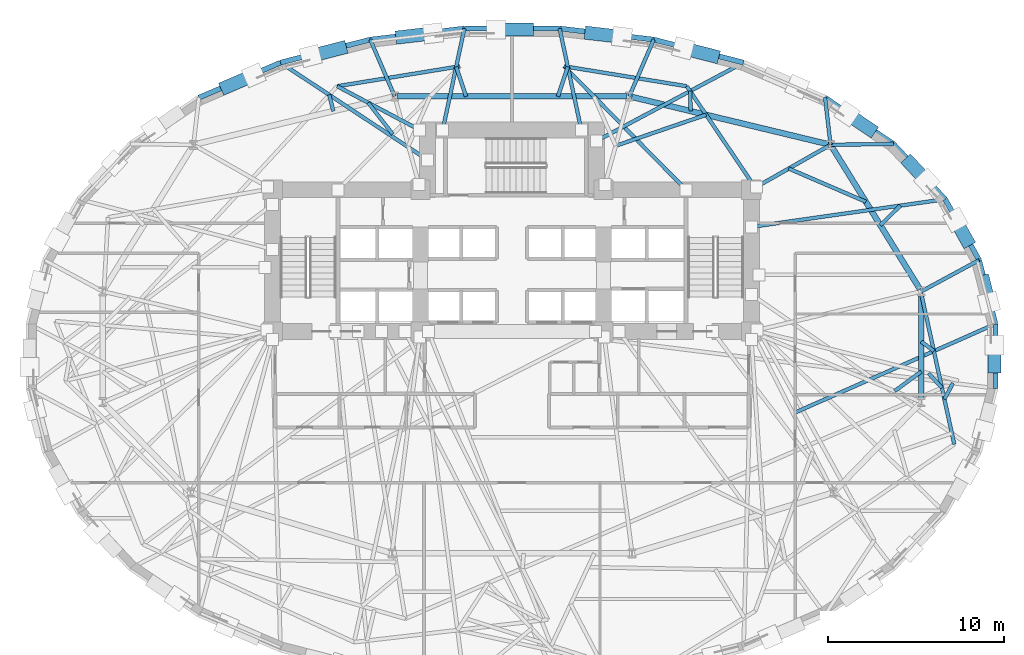
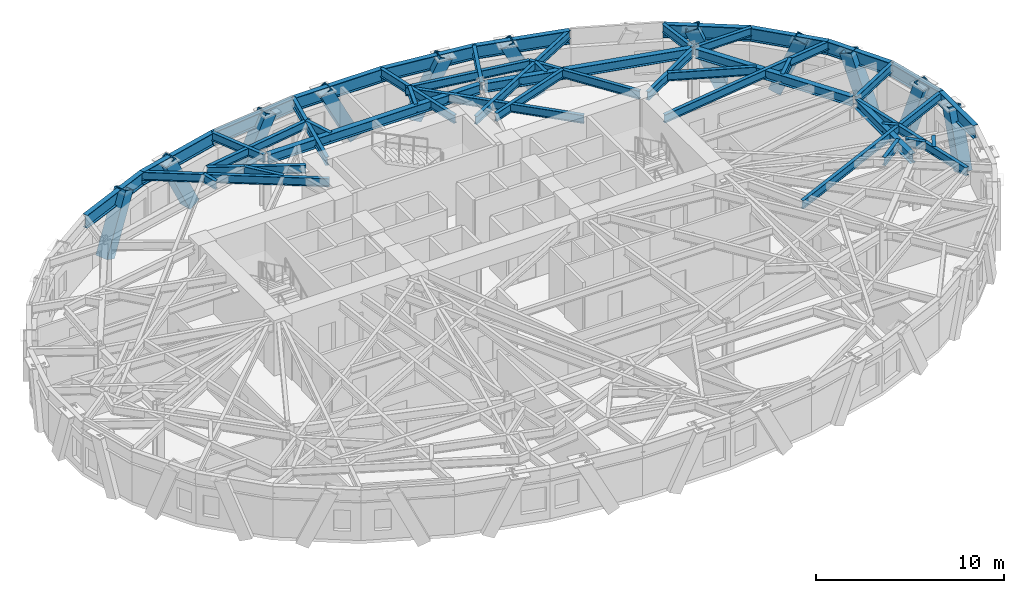
# One storey, part 4 of 14: 45 beams, 11 members.
"""IFC4 building model written with IfcOpenShell, lengths in metres."""

from ifc_helpers import new_model, si_unit, direction, frame, origin, origin_2d, place, context, subcontext, project, spatial, hollow_rectangle, i_section, extrude, material, material_profile, profile_set, type_object, element, save


model = new_model("IFC4")

# Units and contexts
model_context = context("Model", 3, precision=1e-05, world=origin(), true_north=direction((0.0, 1.0)))
body_context = subcontext(model_context, "Body", "Model", "MODEL_VIEW")
ifc_project = project(units=[si_unit("LENGTHUNIT", "METRE"), si_unit("AREAUNIT", "SQUARE_METRE"), si_unit("VOLUMEUNIT", "CUBIC_METRE"), si_unit("PLANEANGLEUNIT", "RADIAN"), si_unit("MASSUNIT", "GRAM", prefix="KILO")], contexts=[model_context])

# Site, building, storey
site_placement = place(None, origin())
site = spatial("IfcSite", under=ifc_project, at=site_placement, CompositionType="ELEMENT")
building_placement = place(site_placement, origin())
building = spatial("IfcBuilding", under=site, at=building_placement, Name="Keldmark Tower", CompositionType="ELEMENT")
storey_placement = place(building_placement, frame((0.0, 0.0, 41.39990234375)))
storey = spatial("IfcBuildingStorey", under=building, at=storey_placement, Name="L10", CompositionType="ELEMENT", Elevation=41.39990234375)

# Members
ifc_material_1 = material(Name="Steel ASTM A572 Grade 50", Category="steel")
ifc_material_profile_1 = material_profile(ifc_material_1, hollow_rectangle(XDim=0.75, YDim=0.75, WallThickness=0.06494140625, at=origin_2d()), Name="BOX750X750X65")
ifc_profile_set_1 = profile_set([ifc_material_profile_1], Name="Steel ASTM A572 Grade 50")
member_type = type_object("IfcMemberType", Name="Diagrid Lower Brace BOX750X750X65", PredefinedType="BRACE", material=ifc_profile_set_1)
member_1_placement = place(storey_placement, frame((26.787841796875, 4.24169921875, -0.27978515625), z_axis=(0.081948812842, -0.320092321881, 0.943835418676), x_axis=(0.968755649676, 0.248017118805, 0.0)))
element("IfcMember", 1, at=member_1_placement, inside=storey, type_object=member_type, Name="L10 Perimeter Diagrid Brace 01A", PredefinedType="BRACE", context=body_context, shape_type="SweptSolid", body=[
    extrude(hollow_rectangle(XDim=0.75, YDim=0.75, WallThickness=0.06494140625, at=origin_2d()), origin(), (0.0, 0.0, 1.0), 3.771728515625),
])
member_2_placement = place(storey_placement, frame((25.837646484375, 6.590087890625, -0.27978515625), z_axis=(-0.169438111504, 0.303638240047, 0.937600418916), x_axis=(-0.87323979418, -0.487290736481, 0.0)))
element("IfcMember", 2, at=member_2_placement, inside=storey, type_object=member_type, Name="L10 Perimeter Diagrid Brace 01B", PredefinedType="BRACE", context=body_context, shape_type="SweptSolid", body=[
    extrude(hollow_rectangle(XDim=0.75, YDim=0.75, WallThickness=0.06494140625, at=origin_2d()), origin(), (0.0, 0.0, 1.0), 3.796630859375),
])
member_3_placement = place(storey_placement, frame((22.598388671875, 10.9775390625, -0.27978515625), z_axis=(0.25500258471, -0.272689889737, 0.92769278634), x_axis=(0.730397557148, 0.683022260627, 0.0)))
element("IfcMember", 3, at=member_3_placement, inside=storey, type_object=member_type, Name="L10 Perimeter Diagrid Brace 02A", PredefinedType="BRACE", context=body_context, shape_type="SweptSolid", body=[
    extrude(hollow_rectangle(XDim=0.75, YDim=0.75, WallThickness=0.06494140625, at=origin_2d()), origin(), (0.0, 0.0, 1.0), 3.837158203125),
])
member_4_placement = place(storey_placement, frame((20.330810546875, 12.89208984375, -0.27978515625), z_axis=(-0.333135851451, 0.225711154536, 0.915464351679), x_axis=(-0.560913692164, -0.8278742839, 0.0)))
element("IfcMember", 4, at=member_4_placement, inside=storey, type_object=member_type, Name="L10 Perimeter Diagrid Brace 02B", PredefinedType="BRACE", context=body_context, shape_type="SweptSolid", body=[
    extrude(hollow_rectangle(XDim=0.75, YDim=0.75, WallThickness=0.06494140625, at=origin_2d()), origin(), (0.0, 0.0, 1.0), 3.888427734375),
])
member_5_placement = place(storey_placement, frame((11.424072265625, 17.057861328125, -0.27978515625), z_axis=(-0.428568073228, 0.109848246094, 0.896806985611), x_axis=(-0.248288387192, -0.968686160108, 0.0)))
element("IfcMember", 5, at=member_5_placement, inside=storey, type_object=member_type, Name="L10 Perimeter Diagrid Brace 03B", PredefinedType="BRACE", context=body_context, shape_type="SweptSolid", body=[
    extrude(hollow_rectangle(XDim=0.75, YDim=0.75, WallThickness=0.06494140625, at=origin_2d()), origin(), (0.0, 0.0, 1.0), 3.969482421875),
])
member_6_placement = place(storey_placement, frame((4.469482421875, 18.34423828125, -0.27978515625), z_axis=(0.446963157754, -0.052547874672, 0.893007646371), x_axis=(0.116762289112, 0.993159890371, 0.0)))
element("IfcMember", 6, at=member_6_placement, inside=storey, type_object=member_type, Name="L10 Perimeter Diagrid Brace 04A", PredefinedType="BRACE", context=body_context, shape_type="SweptSolid", body=[
    extrude(hollow_rectangle(XDim=0.75, YDim=0.75, WallThickness=0.06494140625, at=origin_2d()), origin(), (0.0, 0.0, 1.0), 3.986328125),
])
member_7_placement = place(storey_placement, frame((0.895751953125, 18.551513671875, -0.27978515625), z_axis=(-0.451930390939, 0.0, 0.89205320567), x_axis=(0.0, -1.0, 0.0)))
element("IfcMember", 7, at=member_7_placement, inside=storey, type_object=member_type, Name="L10 Perimeter Diagrid Brace 04B", PredefinedType="BRACE", context=body_context, shape_type="SweptSolid", body=[
    extrude(hollow_rectangle(XDim=0.75, YDim=0.75, WallThickness=0.06494140625, at=origin_2d()), origin(), (0.0, 0.0, 1.0), 3.990478515625),
])
member_8_placement = place(storey_placement, frame((-6.2626953125, 18.132568359375, -0.27978515625), z_axis=(0.446963157754, 0.052547874672, 0.893007646371), x_axis=(-0.116762289112, 0.993159890371, 0.0)))
element("IfcMember", 8, at=member_8_placement, inside=storey, type_object=member_type, Name="L10 Perimeter Diagrid Brace 05A", PredefinedType="BRACE", context=body_context, shape_type="SweptSolid", body=[
    extrude(hollow_rectangle(XDim=0.75, YDim=0.75, WallThickness=0.06494140625, at=origin_2d()), origin(), (0.0, 0.0, 1.0), 3.986328125),
])
member_9_placement = place(storey_placement, frame((-9.73388671875, 17.489501953125, -0.27978515625), z_axis=(-0.428568073228, -0.109848246094, 0.896806985611), x_axis=(0.248288387192, -0.968686160108, 0.0)))
element("IfcMember", 9, at=member_9_placement, inside=storey, type_object=member_type, Name="L10 Perimeter Diagrid Brace 05B", PredefinedType="BRACE", context=body_context, shape_type="SweptSolid", body=[
    extrude(hollow_rectangle(XDim=0.75, YDim=0.75, WallThickness=0.06494140625, at=origin_2d()), origin(), (0.0, 0.0, 1.0), 3.969482421875),
])
member_10_placement = place(storey_placement, frame((-16.2138671875, 15.2958984375, -0.27978515625), z_axis=(0.392321493555, 0.168439009879, 0.904274375201), x_axis=(-0.394515266189, 0.918889386566, 0.0)))
element("IfcMember", 10, at=member_10_placement, inside=storey, type_object=member_type, Name="L10 Perimeter Diagrid Brace 06A", PredefinedType="BRACE", context=body_context, shape_type="SweptSolid", body=[
    extrude(hollow_rectangle(XDim=0.75, YDim=0.75, WallThickness=0.06494140625, at=origin_2d()), origin(), (0.0, 0.0, 1.0), 3.936767578125),
])
member_11_placement = place(storey_placement, frame((27.40625, -0.60498046875, -0.27978515625), z_axis=(0.0, 0.324660959988, 0.945830461055), x_axis=(-1.0, 0.0, 0.0)))
element("IfcMember", 11, at=member_11_placement, inside=storey, type_object=member_type, Name="L10 Perimeter Diagrid Brace 16B", PredefinedType="BRACE", context=body_context, shape_type="SweptSolid", body=[
    extrude(hollow_rectangle(XDim=0.75, YDim=0.75, WallThickness=0.06494140625, at=origin_2d()), origin(), (0.0, 0.0, 1.0), 3.763671875),
])

# Beams
ifc_material_2 = material(Name="Steel ASTM A992 Grade 50", Category="steel")
ifc_material_profile_2 = material_profile(ifc_material_2, i_section(OverallWidth=0.323974609375, OverallDepth=0.611083984375, WebThickness=0.0126953125, FlangeThickness=0.01904296875, at=origin_2d()), Name="W24X104")
ifc_profile_set_2 = profile_set([ifc_material_profile_2], Name="Steel ASTM A992 Grade 50")
beam_type_1 = type_object("IfcBeamType", Name="Primary Floor Girder W24X104", PredefinedType="BEAM", material=ifc_profile_set_2)
beam_1_placement = place(storey_placement, frame((23.180419921875, 3.796142578125, 3.094482421875), z_axis=(-0.526318405849, 0.850287560573, 0.0), x_axis=(-0.850287560573, -0.526318405849, 0.0)))
element("IfcBeam", 12, at=beam_1_placement, inside=storey, type_object=beam_type_1, Name="L10 Floor Ring Girder FG-R01", PredefinedType="BEAM", context=body_context, shape_type="SweptSolid", body=[
    extrude(i_section(OverallWidth=0.323974609375, OverallDepth=0.611083984375, WebThickness=0.0126953125, FlangeThickness=0.01904296875, at=origin_2d()), origin(), (0.0, 0.0, 1.0), 9.51708984375),
])
beam_2_placement = place(storey_placement, frame((17.961669921875, 12.040283203125, 3.094482421875), z_axis=(-0.972218707757, 0.2340743136, 0.0), x_axis=(-0.2340743136, -0.972218707757, 0.0)))
element("IfcBeam", 13, at=beam_2_placement, inside=storey, type_object=beam_type_1, Name="L10 Floor Ring Girder FG-R02", PredefinedType="BEAM", context=body_context, shape_type="SweptSolid", body=[
    extrude(i_section(OverallWidth=0.323974609375, OverallDepth=0.611083984375, WebThickness=0.0126953125, FlangeThickness=0.01904296875, at=origin_2d()), origin(), (0.0, 0.0, 1.0), 11.479248046875),
])
beam_3_placement = place(storey_placement, frame((6.525146484375, 14.760009765625, 3.094482421875), z_axis=(-1.0, 0.0, 0.0), x_axis=(0.0, -1.0, 0.0)))
element("IfcBeam", 14, at=beam_3_placement, inside=storey, type_object=beam_type_1, Name="L10 Floor Ring Girder FG-R03", PredefinedType="BEAM", context=body_context, shape_type="SweptSolid", body=[
    extrude(i_section(OverallWidth=0.323974609375, OverallDepth=0.611083984375, WebThickness=0.0126953125, FlangeThickness=0.01904296875, at=origin_2d()), origin(), (0.0, 0.0, 1.0), 13.05029296875),
])
beam_4_placement = place(storey_placement, frame((23.25390625, -2.47314453125, 3.094482421875), z_axis=(0.0, 1.0, 0.0), x_axis=(-1.0, 0.0, 0.0)))
element("IfcBeam", 15, at=beam_4_placement, inside=storey, type_object=beam_type_1, Name="L10 Floor Ring Girder FG-R12", PredefinedType="BEAM", context=body_context, shape_type="SweptSolid", body=[
    extrude(i_section(OverallWidth=0.323974609375, OverallDepth=0.611083984375, WebThickness=0.0126953125, FlangeThickness=0.01904296875, at=origin_2d()), origin(), (0.0, 0.0, 1.0), 6.01025390625),
])
ifc_material_3 = material(Name="Steel ASTM A992 Grade 50", Category="steel")
ifc_material_profile_3 = material_profile(ifc_material_3, i_section(OverallWidth=0.2099609375, OverallDepth=0.537109375, WebThickness=0.010986328125, FlangeThickness=0.017333984375, at=origin_2d()), Name="W21X68")
ifc_profile_set_3 = profile_set([ifc_material_profile_3], Name="Steel ASTM A992 Grade 50")
beam_type_2 = type_object("IfcBeamType", Name="Radial Tie Girder W21X68", PredefinedType="BEAM", material=ifc_profile_set_3)
beam_5_placement = place(storey_placement, frame((5.889404296875, 11.948486328125, 3.131591796875), z_axis=(0.94599832842, 0.324171501872, 0.0), x_axis=(-0.324171501872, 0.94599832842, 0.0)))
element("IfcBeam", 16, at=beam_5_placement, inside=storey, type_object=beam_type_2, Name="L10 Framing Pin Header PH-001", PredefinedType="BEAM", context=body_context, shape_type="SweptSolid", body=[
    extrude(i_section(OverallWidth=0.2099609375, OverallDepth=0.537109375, WebThickness=0.010986328125, FlangeThickness=0.017333984375, at=origin_2d()), origin(), (0.0, 0.0, 1.0), 5.432373046875),
])
beam_6_placement = place(storey_placement, frame((13.60009765625, 9.89990234375, 3.131591796875), z_axis=(-0.559521471591, 0.828815855802, 0.0), x_axis=(-0.828815855802, -0.559521471591, 0.0)))
element("IfcBeam", 17, at=beam_6_placement, inside=storey, type_object=beam_type_2, Name="L10 Sub-Ring Step Girder STP1-M02", PredefinedType="BEAM", context=body_context, shape_type="SweptSolid", body=[
    extrude(i_section(OverallWidth=0.2099609375, OverallDepth=0.537109375, WebThickness=0.010986328125, FlangeThickness=0.017333984375, at=origin_2d()), origin(), (0.0, 0.0, 1.0), 6.5546875),
])
beam_7_placement = place(storey_placement, frame((9.892822265625, 9.449951171875, 3.131591796875), z_axis=(-0.702598504383, 0.711586496245, 0.0), x_axis=(-0.711586496245, -0.702598504383, 0.0)))
element("IfcBeam", 18, at=beam_7_placement, inside=storey, type_object=beam_type_2, Name="L10 Sub-Ring Step Girder STP1-M03", PredefinedType="BEAM", context=body_context, shape_type="SweptSolid", body=[
    extrude(i_section(OverallWidth=0.2099609375, OverallDepth=0.537109375, WebThickness=0.010986328125, FlangeThickness=0.017333984375, at=origin_2d()), origin(), (0.0, 0.0, 1.0), 9.860107421875),
])
beam_8_placement = place(storey_placement, frame((-6.775390625, 12.607421875, 3.131591796875), z_axis=(-0.614380011532, 0.789010266999, 0.0), x_axis=(-0.789010266999, -0.614380011532, 0.0)))
element("IfcBeam", 19, at=beam_8_placement, inside=storey, type_object=beam_type_2, Name="L10 Framing Pin Header PH-004", PredefinedType="BEAM", context=body_context, shape_type="SweptSolid", body=[
    extrude(i_section(OverallWidth=0.2099609375, OverallDepth=0.537109375, WebThickness=0.010986328125, FlangeThickness=0.017333984375, at=origin_2d()), origin(), (0.0, 0.0, 1.0), 2.26904296875),
])
beam_9_placement = place(storey_placement, frame((-5.25, 12.85009765625, 3.131591796875), z_axis=(-0.883523338204, 0.468387137792, 0.0), x_axis=(-0.468387137792, -0.883523338204, 0.0)))
element("IfcBeam", 20, at=beam_9_placement, inside=storey, type_object=beam_type_2, Name="L10 Sub-Ring Step Girder STP1-M05", PredefinedType="BEAM", context=body_context, shape_type="SweptSolid", body=[
    extrude(i_section(OverallWidth=0.2099609375, OverallDepth=0.537109375, WebThickness=0.010986328125, FlangeThickness=0.017333984375, at=origin_2d()), origin(), (0.0, 0.0, 1.0), 5.300048828125),
])
beam_10_placement = place(storey_placement, frame((21.740234375, -1.98388671875, 3.131591796875), z_axis=(0.806632426687, 0.591053405554, 0.0), x_axis=(-0.591053405554, 0.806632426687, 0.0)))
element("IfcBeam", 21, at=beam_10_placement, inside=storey, type_object=beam_type_2, Name="L10 Framing Pin Header PH-008", PredefinedType="BEAM", context=body_context, shape_type="SweptSolid", body=[
    extrude(i_section(OverallWidth=0.2099609375, OverallDepth=0.537109375, WebThickness=0.010986328125, FlangeThickness=0.017333984375, at=origin_2d()), origin(), (0.0, 0.0, 1.0), 1.87646484375),
])
for number, where, z_axis, x_axis, name in (
    (22, (9.9326171875, 15.33251953125, 3.131591796875), (-0.987017599619, 0.160612135416, 0.0), (-0.160612135416, -0.987017599619, 0.0), "L10 Perimeter Collector Ring Beam CRG1-M02"),
    (23, (-2.965087890625, 16.46630859375, 3.131591796875), (-0.987017599619, -0.160612135416, 0.0), (0.160612135416, -0.987017599619, 0.0), "L10 Perimeter Collector Ring Beam CRG1-M04"),
):
    element("IfcBeam", number, at=place(storey_placement, frame(where, z_axis=z_axis, x_axis=x_axis)), inside=storey, type_object=beam_type_2, Name=name, PredefinedType="BEAM", context=body_context, shape_type="SweptSolid", body=[
        extrude(i_section(OverallWidth=0.2099609375, OverallDepth=0.537109375, WebThickness=0.010986328125, FlangeThickness=0.017333984375, at=origin_2d()), origin(), (0.0, 0.0, 1.0), 7.05908203125),
    ])
beam_11_placement = place(storey_placement, frame((15.72216796875, 10.65673828125, 3.131591796875), z_axis=(0.918415191606, -0.395617916464, 0.0), x_axis=(0.395617916464, 0.918415191606, 0.0)))
element("IfcBeam", 24, at=beam_11_placement, inside=storey, type_object=beam_type_2, Name="L10 Framing Pin Header PH-009", PredefinedType="BEAM", context=body_context, shape_type="SweptSolid", body=[
    extrude(i_section(OverallWidth=0.2099609375, OverallDepth=0.537109375, WebThickness=0.010986328125, FlangeThickness=0.017333984375, at=origin_2d()), origin(), (0.0, 0.0, 1.0), 4.768310546875),
])
beam_12_placement = place(storey_placement, frame((23.66845703125, -0.977294921875, 3.131591796875), z_axis=(0.675774047362, -0.737108836544, 0.0), x_axis=(0.737108836544, 0.675774047362, 0.0)))
element("IfcBeam", 25, at=beam_12_placement, inside=storey, type_object=beam_type_2, Name="L10 Framing Pin Header PH-015", PredefinedType="BEAM", context=body_context, shape_type="SweptSolid", body=[
    extrude(i_section(OverallWidth=0.2099609375, OverallDepth=0.537109375, WebThickness=0.010986328125, FlangeThickness=0.017333984375, at=origin_2d()), origin(), (0.0, 0.0, 1.0), 1.118408203125),
])
beam_13_placement = place(storey_placement, frame((23.25390625, 3.537109375, 3.131591796875), z_axis=(0.214137140926, -0.976803606093, 0.0), x_axis=(0.976803606093, 0.214137140926, 0.0)))
element("IfcBeam", 26, at=beam_13_placement, inside=storey, type_object=beam_type_2, Name="L10 Sub-Ring Step Girder STP2-M12", PredefinedType="BEAM", context=body_context, shape_type="SweptSolid", body=[
    extrude(i_section(OverallWidth=0.2099609375, OverallDepth=0.537109375, WebThickness=0.010986328125, FlangeThickness=0.017333984375, at=origin_2d()), origin(), (0.0, 0.0, 1.0), 8.748046875),
])
beam_14_placement = place(storey_placement, frame((23.25390625, 0.83251953125, 3.131591796875), z_axis=(0.792613901629, -0.609723874344, 0.0), x_axis=(0.609723874344, 0.792613901629, 0.0)))
element("IfcBeam", 27, at=beam_14_placement, inside=storey, type_object=beam_type_2, Name="L10 Framing Pin Header PH-016", PredefinedType="BEAM", context=body_context, shape_type="SweptSolid", body=[
    extrude(i_section(OverallWidth=0.2099609375, OverallDepth=0.537109375, WebThickness=0.010986328125, FlangeThickness=0.017333984375, at=origin_2d()), origin(), (0.0, 0.0, 1.0), 0.899658203125),
])
beam_15_placement = place(storey_placement, frame((15.96728515625, -3.258056640625, 3.131591796875), z_axis=(0.914383067836, 0.404850102204, 0.0), x_axis=(-0.404850102204, 0.914383067836, 0.0)))
element("IfcBeam", 28, at=beam_15_placement, inside=storey, type_object=beam_type_2, Name="L10 Perimeter Radial Tie Girder RT-01", PredefinedType="BEAM", context=body_context, shape_type="SweptSolid", body=[
    extrude(i_section(OverallWidth=0.2099609375, OverallDepth=0.537109375, WebThickness=0.010986328125, FlangeThickness=0.017333984375, at=origin_2d()), origin(), (0.0, 0.0, 1.0), 12.5751953125),
])
beam_16_placement = place(storey_placement, frame((23.25390625, 3.67724609375, 3.131591796875), z_axis=(0.8794299536, 0.476028315031, 0.0), x_axis=(-0.476028315031, 0.8794299536, 0.0)))
element("IfcBeam", 29, at=beam_16_placement, inside=storey, type_object=beam_type_2, Name="L10 Perimeter Column Bracket RT-02", PredefinedType="BEAM", context=body_context, shape_type="SweptSolid", body=[
    extrude(i_section(OverallWidth=0.2099609375, OverallDepth=0.537109375, WebThickness=0.010986328125, FlangeThickness=0.017333984375, at=origin_2d()), origin(), (0.0, 0.0, 1.0), 3.734619140625),
])
beam_17_placement = place(storey_placement, frame((20.92626953125, 7.437744140625, 3.131591796875), z_axis=(0.714817341796, 0.699311209597, 0.0), x_axis=(-0.699311209597, 0.714817341796, 0.0)))
element("IfcBeam", 30, at=beam_17_placement, inside=storey, type_object=beam_type_2, Name="L10 Framing Pin Header PH-017", PredefinedType="BEAM", context=body_context, shape_type="SweptSolid", body=[
    extrude(i_section(OverallWidth=0.2099609375, OverallDepth=0.537109375, WebThickness=0.010986328125, FlangeThickness=0.017333984375, at=origin_2d()), origin(), (0.0, 0.0, 1.0), 1.59033203125),
])
beam_18_placement = place(storey_placement, frame((13.60009765625, 7.343017578125, 3.131591796875), z_axis=(0.989984592314, 0.141175447518, 0.0), x_axis=(-0.141175447518, 0.989984592314, 0.0)))
element("IfcBeam", 31, at=beam_18_placement, inside=storey, type_object=beam_type_2, Name="L10 Perimeter Radial Tie Girder RT-03", PredefinedType="BEAM", context=body_context, shape_type="SweptSolid", body=[
    extrude(i_section(OverallWidth=0.2099609375, OverallDepth=0.537109375, WebThickness=0.010986328125, FlangeThickness=0.017333984375, at=origin_2d()), origin(), (0.0, 0.0, 1.0), 11.11962890625),
])
beam_19_placement = place(storey_placement, frame((18.09765625, 12.00732421875, 3.131591796875), z_axis=(0.999921071329, 0.012563881257, 0.0), x_axis=(-0.012563881257, 0.999921071329, 0.0)))
element("IfcBeam", 32, at=beam_19_placement, inside=storey, type_object=beam_type_2, Name="L10 Perimeter Column Bracket RT-04", PredefinedType="BEAM", context=body_context, shape_type="SweptSolid", body=[
    extrude(i_section(OverallWidth=0.2099609375, OverallDepth=0.537109375, WebThickness=0.010986328125, FlangeThickness=0.017333984375, at=origin_2d()), origin(), (0.0, 0.0, 1.0), 3.575439453125),
])
beam_20_placement = place(storey_placement, frame((18.09765625, 12.00732421875, 3.131591796875), z_axis=(-0.115438533169, 0.993314625413, 0.0), x_axis=(-0.993314625413, -0.115438533169, 0.0)))
element("IfcBeam", 33, at=beam_20_placement, inside=storey, type_object=beam_type_2, Name="L10 Perimeter Column Bracket RT-05", PredefinedType="BEAM", context=body_context, shape_type="SweptSolid", body=[
    extrude(i_section(OverallWidth=0.2099609375, OverallDepth=0.537109375, WebThickness=0.010986328125, FlangeThickness=0.017333984375, at=origin_2d()), origin(), (0.0, 0.0, 1.0), 2.696533203125),
])
beam_21_placement = place(storey_placement, frame((10.1494140625, 13.921142578125, 3.131591796875), z_axis=(-0.027695557598, 0.999616404472, 0.0), x_axis=(-0.999616404472, -0.027695557598, 0.0)))
element("IfcBeam", 34, at=beam_21_placement, inside=storey, type_object=beam_type_2, Name="L10 Framing Pin Header PH-018", PredefinedType="BEAM", context=body_context, shape_type="SweptSolid", body=[
    extrude(i_section(OverallWidth=0.2099609375, OverallDepth=0.537109375, WebThickness=0.010986328125, FlangeThickness=0.017333984375, at=origin_2d()), origin(), (0.0, 0.0, 1.0), 1.13720703125),
])
beam_22_placement = place(storey_placement, frame((4.800048828125, 12.22509765625, 3.131591796875), z_axis=(0.882588469894, 0.470146352544, 0.0), x_axis=(-0.470146352544, 0.882588469894, 0.0)))
element("IfcBeam", 35, at=beam_22_placement, inside=storey, type_object=beam_type_2, Name="L10 Perimeter Radial Tie Girder RT-06", PredefinedType="BEAM", context=body_context, shape_type="SweptSolid", body=[
    extrude(i_section(OverallWidth=0.2099609375, OverallDepth=0.537109375, WebThickness=0.010986328125, FlangeThickness=0.017333984375, at=origin_2d()), origin(), (0.0, 0.0, 1.0), 9.464599609375),
])
beam_23_placement = place(storey_placement, frame((6.6650390625, 14.760009765625, 3.131591796875), z_axis=(0.3949102692, 0.918719695707, 0.0), x_axis=(-0.918719695707, 0.3949102692, 0.0)))
element("IfcBeam", 36, at=beam_23_placement, inside=storey, type_object=beam_type_2, Name="L10 Perimeter Column Bracket RT-07", PredefinedType="BEAM", context=body_context, shape_type="SweptSolid", body=[
    extrude(i_section(OverallWidth=0.2099609375, OverallDepth=0.537109375, WebThickness=0.010986328125, FlangeThickness=0.017333984375, at=origin_2d()), origin(), (0.0, 0.0, 1.0), 3.5078125),
])
beam_24_placement = place(storey_placement, frame((2.610107421875, 14.760009765625, 3.131591796875), z_axis=(0.3180123932, 0.948086556054, 0.0), x_axis=(-0.948086556054, 0.3180123932, 0.0)))
element("IfcBeam", 37, at=beam_24_placement, inside=storey, type_object=beam_type_2, Name="L10 Framing Pin Header PH-019", PredefinedType="BEAM", context=body_context, shape_type="SweptSolid", body=[
    extrude(i_section(OverallWidth=0.2099609375, OverallDepth=0.537109375, WebThickness=0.010986328125, FlangeThickness=0.017333984375, at=origin_2d()), origin(), (0.0, 0.0, 1.0), 1.76416015625),
])
beam_25_placement = place(storey_placement, frame((3.9375, 12.85009765625, 3.131591796875), z_axis=(-0.209192295386, 0.977874523419, 0.0), x_axis=(-0.977874523419, -0.209192295386, 0.0)))
element("IfcBeam", 38, at=beam_25_placement, inside=storey, type_object=beam_type_2, Name="L10 Perimeter Radial Tie Girder RT-08", PredefinedType="BEAM", context=body_context, shape_type="SweptSolid", body=[
    extrude(i_section(OverallWidth=0.2099609375, OverallDepth=0.537109375, WebThickness=0.010986328125, FlangeThickness=0.017333984375, at=origin_2d()), origin(), (0.0, 0.0, 1.0), 5.891357421875),
])
beam_26_placement = place(storey_placement, frame((-2.610107421875, 14.760009765625, 3.131591796875), z_axis=(-0.3180123932, 0.948086556054, 0.0), x_axis=(-0.948086556054, -0.3180123932, 0.0)))
element("IfcBeam", 39, at=beam_26_placement, inside=storey, type_object=beam_type_2, Name="L10 Framing Pin Header PH-020", PredefinedType="BEAM", context=body_context, shape_type="SweptSolid", body=[
    extrude(i_section(OverallWidth=0.2099609375, OverallDepth=0.537109375, WebThickness=0.010986328125, FlangeThickness=0.017333984375, at=origin_2d()), origin(), (0.0, 0.0, 1.0), 1.76416015625),
])
beam_27_placement = place(storey_placement, frame((-3.9375, 12.85009765625, 3.131591796875), z_axis=(0.209192295386, 0.977874523419, 0.0), x_axis=(-0.977874523419, 0.209192295386, 0.0)))
element("IfcBeam", 40, at=beam_27_placement, inside=storey, type_object=beam_type_2, Name="L10 Perimeter Radial Tie Girder RT-09", PredefinedType="BEAM", context=body_context, shape_type="SweptSolid", body=[
    extrude(i_section(OverallWidth=0.2099609375, OverallDepth=0.537109375, WebThickness=0.010986328125, FlangeThickness=0.017333984375, at=origin_2d()), origin(), (0.0, 0.0, 1.0), 5.891357421875),
])
beam_28_placement = place(storey_placement, frame((-6.6650390625, 14.760009765625, 3.131591796875), z_axis=(-0.3949102692, 0.918719695707, 0.0), x_axis=(-0.918719695707, -0.3949102692, 0.0)))
element("IfcBeam", 41, at=beam_28_placement, inside=storey, type_object=beam_type_2, Name="L10 Perimeter Column Bracket RT-10", PredefinedType="BEAM", context=body_context, shape_type="SweptSolid", body=[
    extrude(i_section(OverallWidth=0.2099609375, OverallDepth=0.537109375, WebThickness=0.010986328125, FlangeThickness=0.017333984375, at=origin_2d()), origin(), (0.0, 0.0, 1.0), 3.5078125),
])
beam_29_placement = place(storey_placement, frame((-10.1494140625, 13.921142578125, 3.131591796875), z_axis=(-0.246337501647, 0.969184108043, 0.0), x_axis=(-0.969184108043, -0.246337501647, 0.0)))
element("IfcBeam", 42, at=beam_29_placement, inside=storey, type_object=beam_type_2, Name="L10 Framing Pin Header PH-021", PredefinedType="BEAM", context=body_context, shape_type="SweptSolid", body=[
    extrude(i_section(OverallWidth=0.2099609375, OverallDepth=0.537109375, WebThickness=0.010986328125, FlangeThickness=0.017333984375, at=origin_2d()), origin(), (0.0, 0.0, 1.0), 0.951416015625),
])
beam_30_placement = place(storey_placement, frame((-4.800048828125, 11.14990234375, 3.131591796875), z_axis=(-0.834069941472, 0.551658710376, 0.0), x_axis=(-0.551658710376, -0.834069941472, 0.0)))
element("IfcBeam", 43, at=beam_30_placement, inside=storey, type_object=beam_type_2, Name="L10 Perimeter Radial Tie Girder RT-11", PredefinedType="BEAM", context=body_context, shape_type="SweptSolid", body=[
    extrude(i_section(OverallWidth=0.2099609375, OverallDepth=0.537109375, WebThickness=0.010986328125, FlangeThickness=0.017333984375, at=origin_2d()), origin(), (0.0, 0.0, 1.0), 10.01513671875),
])
beam_31_placement = place(storey_placement, frame((24.565185546875, -2.4443359375, 3.131591796875), z_axis=(0.471298186467, 0.881973933534, 0.0), x_axis=(-0.881973933534, 0.471298186467, 0.0)))
element("IfcBeam", 44, at=beam_31_placement, inside=storey, type_object=beam_type_2, Name="L10 Framing Pin Header PH-043", PredefinedType="BEAM", context=body_context, shape_type="SweptSolid", body=[
    extrude(i_section(OverallWidth=0.2099609375, OverallDepth=0.537109375, WebThickness=0.010986328125, FlangeThickness=0.017333984375, at=origin_2d()), origin(), (0.0, 0.0, 1.0), 1.034912109375),
])
ifc_material_4 = material(Name="Steel ASTM A992 Grade 50", Category="steel")
ifc_material_profile_4 = material_profile(ifc_material_4, i_section(OverallWidth=0.214111328125, OverallDepth=0.549072265625, WebThickness=0.0146484375, FlangeThickness=0.023681640625, at=origin_2d()), Name="W21X93")
ifc_profile_set_4 = profile_set([ifc_material_profile_4], Name="Steel ASTM A992 Grade 50")
beam_type_3 = type_object("IfcBeamType", Name="Radial Tie Girder W21X93", PredefinedType="BEAM", material=ifc_profile_set_4)
beam_32_placement = place(storey_placement, frame((17.97607421875, 11.938232421875, 3.12548828125), z_axis=(-0.869299282131, -0.494286109542, 0.0), x_axis=(0.494286109542, -0.869299282131, 0.0)))
element("IfcBeam", 45, at=beam_32_placement, inside=storey, type_object=beam_type_3, Name="L10 Floor Radial Girder FG-C02", PredefinedType="BEAM", context=body_context, shape_type="SweptSolid", body=[
    extrude(i_section(OverallWidth=0.214111328125, OverallDepth=0.549072265625, WebThickness=0.0146484375, FlangeThickness=0.023681640625, at=origin_2d()), origin(), (0.0, 0.0, 1.0), 4.714111328125),
])
ifc_material_5 = material(Name="Steel ASTM A992 Grade 50", Category="steel")
ifc_material_profile_5 = material_profile(ifc_material_5, i_section(OverallWidth=0.2919921875, OverallDepth=0.85888671875, WebThickness=0.01708984375, FlangeThickness=0.031005859375, at=origin_2d()), Name="W33X169")
ifc_profile_set_5 = profile_set([ifc_material_profile_5], Name="Steel ASTM A992 Grade 50")
beam_type_4 = type_object("IfcBeamType", Name="Spandrel Ring Beam W33X169", PredefinedType="SPANDREL", material=ifc_profile_set_5)
beam_33_placement = place(storey_placement, frame((27.4658203125, 1.8330078125, 2.970703125), z_axis=(-0.248062710061, 0.968743976434, 0.0), x_axis=(-0.968743976434, -0.248062710061, 0.0)))
element("IfcBeam", 46, at=beam_33_placement, inside=storey, type_object=beam_type_4, Name="L10 Perimeter Spandrel Ring Beam SRB-01", PredefinedType="SPANDREL", context=body_context, shape_type="SweptSolid", body=[
    extrude(i_section(OverallWidth=0.2919921875, OverallDepth=0.85888671875, WebThickness=0.01708984375, FlangeThickness=0.031005859375, at=origin_2d()), origin(), (0.0, 0.0, 1.0), 3.739013671875),
])
beam_34_placement = place(storey_placement, frame((26.538330078125, 5.455078125, 2.970703125), z_axis=(-0.487369438963, 0.873195871477, 0.0), x_axis=(-0.873195871477, -0.487369438963, 0.0)))
element("IfcBeam", 47, at=beam_34_placement, inside=storey, type_object=beam_type_4, Name="L10 Perimeter Spandrel Ring Beam SRB-02", PredefinedType="SPANDREL", context=body_context, shape_type="SweptSolid", body=[
    extrude(i_section(OverallWidth=0.2919921875, OverallDepth=0.85888671875, WebThickness=0.01708984375, FlangeThickness=0.031005859375, at=origin_2d()), origin(), (0.0, 0.0, 1.0), 3.9599609375),
])
beam_35_placement = place(storey_placement, frame((24.6083984375, 8.912841796875, 2.970703125), z_axis=(-0.68299392258, 0.730424056093, 0.0), x_axis=(-0.730424056093, -0.68299392258, 0.0)))
element("IfcBeam", 48, at=beam_35_placement, inside=storey, type_object=beam_type_4, Name="L10 Perimeter Spandrel Ring Beam SRB-03", PredefinedType="SPANDREL", context=body_context, shape_type="SweptSolid", body=[
    extrude(i_section(OverallWidth=0.2919921875, OverallDepth=0.85888671875, WebThickness=0.01708984375, FlangeThickness=0.031005859375, at=origin_2d()), origin(), (0.0, 0.0, 1.0), 4.298095703125),
])
beam_36_placement = place(storey_placement, frame((21.6728515625, 12.05224609375, 2.970703125), z_axis=(-0.827842346852, 0.560960826402, 0.0), x_axis=(-0.560960826402, -0.827842346852, 0.0)))
element("IfcBeam", 49, at=beam_36_placement, inside=storey, type_object=beam_type_4, Name="L10 Perimeter Spandrel Ring Beam SRB-04", PredefinedType="SPANDREL", context=body_context, shape_type="SweptSolid", body=[
    extrude(i_section(OverallWidth=0.2919921875, OverallDepth=0.85888671875, WebThickness=0.01708984375, FlangeThickness=0.031005859375, at=origin_2d()), origin(), (0.0, 0.0, 1.0), 4.69482421875),
])
beam_37_placement = place(storey_placement, frame((13.1533203125, 16.6748046875, 2.970703125), z_axis=(-0.968691592339, 0.248267192621, 0.0), x_axis=(-0.248267192621, -0.968691592339, 0.0)))
element("IfcBeam", 50, at=beam_37_placement, inside=storey, type_object=beam_type_4, Name="L10 Perimeter Spandrel Ring Beam SRB-06", PredefinedType="SPANDREL", context=body_context, shape_type="SweptSolid", body=[
    extrude(i_section(OverallWidth=0.2919921875, OverallDepth=0.85888671875, WebThickness=0.01708984375, FlangeThickness=0.031005859375, at=origin_2d()), origin(), (0.0, 0.0, 1.0), 5.26806640625),
])
beam_38_placement = place(storey_placement, frame((8.05029296875, 17.982666015625, 2.970703125), z_axis=(-0.993159890371, 0.116762289112, 0.0), x_axis=(-0.116762289112, -0.993159890371, 0.0)))
element("IfcBeam", 51, at=beam_38_placement, inside=storey, type_object=beam_type_4, Name="L10 Perimeter Spandrel Ring Beam SRB-07", PredefinedType="SPANDREL", context=body_context, shape_type="SweptSolid", body=[
    extrude(i_section(OverallWidth=0.2919921875, OverallDepth=0.85888671875, WebThickness=0.01708984375, FlangeThickness=0.031005859375, at=origin_2d()), origin(), (0.0, 0.0, 1.0), 5.382080078125),
])
beam_39_placement = place(storey_placement, frame((2.705078125, 18.611083984375, 2.970703125), z_axis=(-1.0, 0.0, 0.0), x_axis=(0.0, -1.0, 0.0)))
element("IfcBeam", 52, at=beam_39_placement, inside=storey, type_object=beam_type_4, Name="L10 Perimeter Spandrel Ring Beam SRB-08", PredefinedType="SPANDREL", context=body_context, shape_type="SweptSolid", body=[
    extrude(i_section(OverallWidth=0.2919921875, OverallDepth=0.85888671875, WebThickness=0.01708984375, FlangeThickness=0.031005859375, at=origin_2d()), origin(), (0.0, 0.0, 1.0), 5.41015625),
])
beam_40_placement = place(storey_placement, frame((-2.705078125, 18.611083984375, 2.970703125), z_axis=(-0.993159890371, -0.116762289112, 0.0), x_axis=(0.116762289112, -0.993159890371, 0.0)))
element("IfcBeam", 53, at=beam_40_placement, inside=storey, type_object=beam_type_4, Name="L10 Perimeter Spandrel Ring Beam SRB-09", PredefinedType="SPANDREL", context=body_context, shape_type="SweptSolid", body=[
    extrude(i_section(OverallWidth=0.2919921875, OverallDepth=0.85888671875, WebThickness=0.01708984375, FlangeThickness=0.031005859375, at=origin_2d()), origin(), (0.0, 0.0, 1.0), 5.382080078125),
])
beam_41_placement = place(storey_placement, frame((-8.05029296875, 17.982666015625, 2.970703125), z_axis=(-0.968691592339, -0.248267192621, 0.0), x_axis=(0.248267192621, -0.968691592339, 0.0)))
element("IfcBeam", 54, at=beam_41_placement, inside=storey, type_object=beam_type_4, Name="L10 Perimeter Spandrel Ring Beam SRB-10", PredefinedType="SPANDREL", context=body_context, shape_type="SweptSolid", body=[
    extrude(i_section(OverallWidth=0.2919921875, OverallDepth=0.85888671875, WebThickness=0.01708984375, FlangeThickness=0.031005859375, at=origin_2d()), origin(), (0.0, 0.0, 1.0), 5.26806640625),
])
beam_42_placement = place(storey_placement, frame((-13.1533203125, 16.6748046875, 2.970703125), z_axis=(-0.91889940345, -0.394491934442, 0.0), x_axis=(0.394491934442, -0.91889940345, 0.0)))
element("IfcBeam", 55, at=beam_42_placement, inside=storey, type_object=beam_type_4, Name="L10 Perimeter Spandrel Ring Beam SRB-11", PredefinedType="SPANDREL", context=body_context, shape_type="SweptSolid", body=[
    extrude(i_section(OverallWidth=0.2919921875, OverallDepth=0.85888671875, WebThickness=0.01708984375, FlangeThickness=0.031005859375, at=origin_2d()), origin(), (0.0, 0.0, 1.0), 5.0419921875),
])
beam_43_placement = place(storey_placement, frame((27.4658203125, -1.8330078125, 2.970703125), z_axis=(0.0, 1.0, 0.0), x_axis=(-1.0, 0.0, 0.0)))
element("IfcBeam", 56, at=beam_43_placement, inside=storey, type_object=beam_type_4, Name="L10 Perimeter Spandrel Ring Beam SRB-32", PredefinedType="SPANDREL", context=body_context, shape_type="SweptSolid", body=[
    extrude(i_section(OverallWidth=0.2919921875, OverallDepth=0.85888671875, WebThickness=0.01708984375, FlangeThickness=0.031005859375, at=origin_2d()), origin(), (0.0, 0.0, 1.0), 3.666015625),
])

save(model, "model.ifc")
